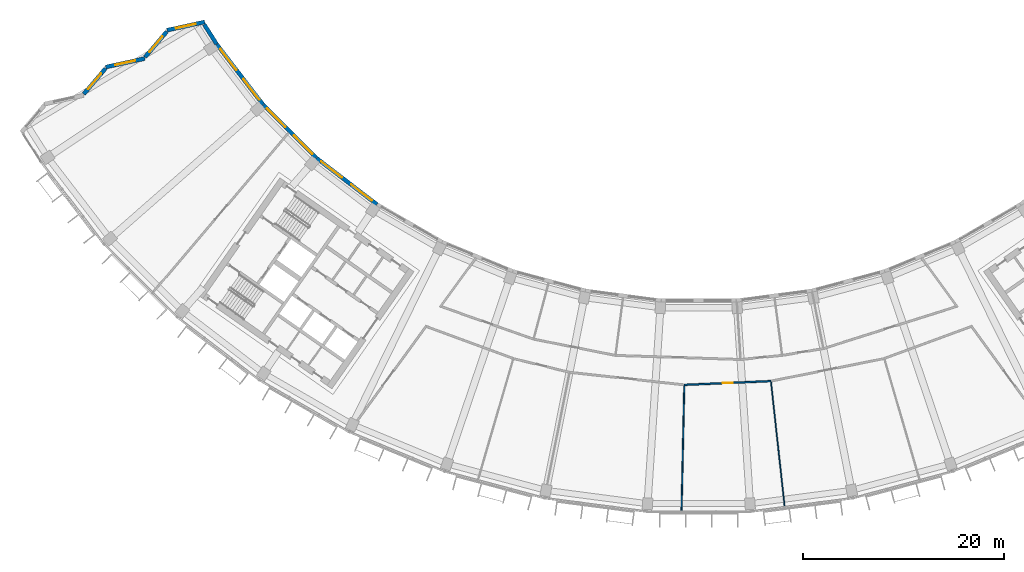
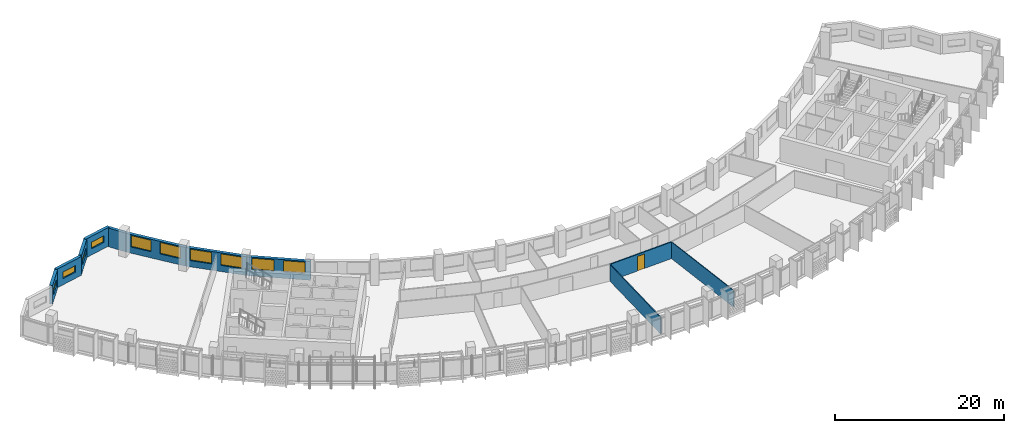
# One storey, part 5 of 28: 11 walls, 10 windows, 1 door, 11 openings.
"""IFC4 building model written with IfcOpenShell, lengths in metres."""

from ifc_helpers import new_model, si_unit, direction, frame, frame_2d, origin, place, context, subcontext, project, spatial, rectangle, extrude, material, layer, layer_set, type_object, element, fill, save


model = new_model("IFC4")

# Units and contexts
model_context = context("Model", 3, precision=1e-05, world=origin(), true_north=direction((0.0, 1.0)))
body_context = subcontext(model_context, "Body", "Model", "MODEL_VIEW")
ifc_project = project(units=[si_unit("LENGTHUNIT", "METRE"), si_unit("AREAUNIT", "SQUARE_METRE"), si_unit("VOLUMEUNIT", "CUBIC_METRE"), si_unit("PLANEANGLEUNIT", "RADIAN"), si_unit("MASSUNIT", "GRAM", prefix="KILO")], contexts=[model_context])

# Site, building, storey
site_placement = place(None, origin())
site = spatial("IfcSite", under=ifc_project, at=site_placement, CompositionType="ELEMENT")
building_placement = place(site_placement, origin())
building = spatial("IfcBuilding", under=site, at=building_placement, Name="Qamariyya Broadcast Tower", CompositionType="ELEMENT")
storey_placement = place(building_placement, frame((0.0, 0.0, 249.300048828125)))
storey = spatial("IfcBuildingStorey", under=building, at=storey_placement, Name="L60", CompositionType="ELEMENT", Elevation=249.300048828125)

# Wall, opening, door
ifc_material_1 = material(Name="Gypsum board partition")
ifc_layer_1 = layer(ifc_material_1, 0.14990234375)
ifc_layer_set_1 = layer_set([ifc_layer_1], Name="Corridor partition 150 EI 60")
wall_type_1 = type_object("IfcWallType", Name="Corridor partition 150 EI 60", PredefinedType="PARTITIONING", material=ifc_layer_set_1)
wall_1_placement = place(storey_placement, frame((7.16162109375, -65.4091796875, 0.0), z_axis=(0.0, 0.0, 1.0), x_axis=(-0.999050423115, -0.043568934724, 0.0)))
wall_1 = element("IfcWall", 1, at=wall_1_placement, inside=storey, type_object=wall_type_1, Name="Partition L60-015", PredefinedType="PARTITIONING", context=body_context, shape_type="SweptSolid", body=[
    extrude(rectangle(XDim=8.60693359375, YDim=0.14990234375, at=frame_2d((4.303466796875, 0.0))), origin(), (0.0, 0.0, 1.0), 2.39990234375),
])
opening_1_placement = place(wall_1_placement, frame((3.803466796875, 0.0, 0.0)))
opening_1 = element("IfcOpeningElement", 2, at=opening_1_placement, cuts=wall_1, Name="Opening L60-D04", PredefinedType="OPENING", context=body_context, shape_type="SweptSolid", body=[
    extrude(rectangle(XDim=1.0, YDim=2.10009765625, at=frame_2d((0.5, 1.050048828125))), frame((0.0, 0.0849609375, 0.0), z_axis=(0.0, -1.0, 0.0), x_axis=(1.0, 0.0, 0.0)), (0.0, 0.0, 1.0), 0.169921875),
])
ifc_material_2 = material(Name="Timber fire door leaf", Category="wood")
door_type = type_object("IfcDoorType", Name="Fire door 1000 x 2100 FD60", OperationType="NOTDEFINED", PredefinedType="DOOR", material=ifc_material_2)
door_placement = place(opening_1_placement, origin())
door = element("IfcDoor", 3, at=door_placement, inside=storey, type_object=door_type, Name="Door L60-D04", OperationType="SINGLE_SWING_RIGHT", OverallHeight=2.10009765625, OverallWidth=1.0, PredefinedType="DOOR", context=body_context, shape_type="SweptSolid", body=[
    extrude(rectangle(XDim=1.0, YDim=2.10009765625, at=frame_2d((0.5, 1.050048828125))), frame((0.0, 0.02490234375, 0.0), z_axis=(0.0, -1.0, 0.0), x_axis=(1.0, 0.0, 0.0)), (0.0, 0.0, 1.0), 0.050048828125),
])
fill(opening_1, door)

# Walls
ifc_material_3 = material(Name="Operable acoustic wall panels")
ifc_layer_2 = layer(ifc_material_3, 0.125)
ifc_layer_set_2 = layer_set([ifc_layer_2], Name="Operable acoustic partition 125")
wall_type_2 = type_object("IfcWallType", Name="Operable acoustic partition 125", PredefinedType="MOVABLE", material=ifc_layer_set_2)
wall_2_placement = place(storey_placement, frame((-1.710205078125, -78.28173828125, 0.0), z_axis=(0.0, 0.0, 1.0), x_axis=(0.02182963041, 0.999761705226, 0.0)))
element("IfcWall", 4, at=wall_2_placement, inside=storey, type_object=wall_type_2, Name="Operable partition L60-014", PredefinedType="MOVABLE", context=body_context, shape_type="SweptSolid", body=[
    extrude(rectangle(XDim=12.42529296875, YDim=0.125, at=frame_2d((6.212646484375, 0.0))), origin(), (0.0, 0.0, 1.0), 2.39990234375),
])
ifc_layer_3 = layer(ifc_material_1, 0.10009765625)
ifc_layer_set_3 = layer_set([ifc_layer_3], Name="Partition 100")
wall_type_3 = type_object("IfcWallType", Name="Partition 100", PredefinedType="PARTITIONING", material=ifc_layer_set_3)
wall_3_placement = place(storey_placement, frame((8.522216796875, -77.835205078125, 0.0), z_axis=(0.0, 0.0, 1.0), x_axis=(-0.108852796, 0.994057880006, 0.0)))
element("IfcWall", 5, at=wall_3_placement, inside=storey, type_object=wall_type_3, Name="Partition L60-021", PredefinedType="PARTITIONING", context=body_context, shape_type="SweptSolid", body=[
    extrude(rectangle(XDim=12.42529296875, YDim=0.10009765625, at=frame_2d((6.212646484375, 0.0))), origin(), (0.0, 0.0, 1.0), 2.39990234375),
])

# Wall, opening, window
ifc_material_4 = material(Name="Terracotta", Category="masonry")
ifc_layer_4 = layer(ifc_material_4, 0.39990234375)
ifc_layer_set_4 = layer_set([ifc_layer_4], Name="Terracotta clad wall 400")
wall_type_4 = type_object("IfcWallType", Name="Terracotta clad wall 400", PredefinedType="SOLIDWALL", material=ifc_layer_set_4)
wall_4_placement = place(storey_placement, frame((-49.0546875, -29.751708984375, 0.0), z_axis=(0.0, 0.0, 1.0), x_axis=(-0.977033603056, -0.213085284567, 0.0)))
wall_4 = element("IfcWall", 6, at=wall_4_placement, inside=storey, type_object=wall_type_4, Name="e-wl-L60-capW0", PredefinedType="SOLIDWALL", context=body_context, shape_type="SweptSolid", body=[
    extrude(rectangle(XDim=3.833740234375, YDim=0.39990234375, at=frame_2d((1.9169921875, 0.0))), origin(), (0.0, 0.0, 1.0), 2.699951171875),
])
opening_2_placement = place(wall_4_placement, frame((0.916748046875, 0.0, 0.89990234375)))
opening_2 = element("IfcOpeningElement", 7, at=opening_2_placement, cuts=wall_4, Name="Opening W4", PredefinedType="OPENING", context=body_context, shape_type="SweptSolid", body=[
    extrude(rectangle(XDim=2.0, YDim=0.949951171875, at=frame_2d((1.0, 0.47509765625))), frame((0.0, 0.2099609375, 0.0), z_axis=(0.0, -1.0, 0.0), x_axis=(1.0, 0.0, 0.0)), (0.0, 0.0, 1.0), 0.419921875),
])
ifc_material_5 = material(Name="Clear low-e double glazed unit in aluminium frame", Category="aluminium")
window_type_1 = type_object("IfcWindowType", Name="Horn bay window 2000 x 950", PartitioningType="SINGLE_PANEL", PredefinedType="WINDOW", material=ifc_material_5)
window_1_placement = place(opening_2_placement, origin())
window_1 = element("IfcWindow", 8, at=window_1_placement, inside=storey, type_object=window_type_1, Name="e-w-L60-capW0", OverallHeight=0.949951171875, OverallWidth=2.0, PartitioningType="SINGLE_PANEL", PredefinedType="WINDOW", context=body_context, shape_type="SweptSolid", body=[
    extrude(rectangle(XDim=2.0, YDim=0.949951171875, at=frame_2d((1.0, 0.47509765625))), frame((0.0, 0.030029296875, 0.0), z_axis=(0.0, -1.0, 0.0), x_axis=(1.0, 0.0, 0.0)), (0.0, 0.0, 1.0), 0.06005859375),
])
fill(opening_2, window_1)

wall_5_placement = place(storey_placement, frame((-52.8232421875, -30.707763671875, 0.0), z_axis=(0.0, 0.0, 1.0), x_axis=(-0.647405461938, -0.762145765489, 0.0)))
wall_5 = element("IfcWall", 9, at=wall_5_placement, inside=storey, type_object=wall_type_4, Name="e-wl-L60-capW1", PredefinedType="SOLIDWALL", context=body_context, shape_type="SweptSolid", body=[
    extrude(rectangle(XDim=3.32568359375, YDim=0.39990234375, at=frame_2d((1.662841796875, 0.0))), origin(), (0.0, 0.0, 1.0), 2.699951171875),
])
opening_3_placement = place(wall_5_placement, frame((0.662841796875, 0.0, 0.89990234375)))
opening_3 = element("IfcOpeningElement", 10, at=opening_3_placement, cuts=wall_5, Name="Opening W4", PredefinedType="OPENING", context=body_context, shape_type="SweptSolid", body=[
    extrude(rectangle(XDim=2.0, YDim=0.949951171875, at=frame_2d((1.0, 0.47509765625))), frame((0.0, 0.2099609375, 0.0), z_axis=(0.0, -1.0, 0.0), x_axis=(1.0, 0.0, 0.0)), (0.0, 0.0, 1.0), 0.419921875),
])
window_2_placement = place(opening_3_placement, origin())
window_2 = element("IfcWindow", 11, at=window_2_placement, inside=storey, type_object=window_type_1, Name="e-w-L60-capW1", OverallHeight=0.949951171875, OverallWidth=2.0, PartitioningType="SINGLE_PANEL", PredefinedType="WINDOW", context=body_context, shape_type="SweptSolid", body=[
    extrude(rectangle(XDim=2.0, YDim=0.949951171875, at=frame_2d((1.0, 0.47509765625))), frame((0.0, 0.030029296875, 0.0), z_axis=(0.0, -1.0, 0.0), x_axis=(1.0, 0.0, 0.0)), (0.0, 0.0, 1.0), 0.06005859375),
])
fill(opening_3, window_2)

wall_6_placement = place(storey_placement, frame((-54.999267578125, -33.3818359375, 0.0), z_axis=(0.0, 0.0, 1.0), x_axis=(-0.977023199222, -0.213132982389, 0.0)))
wall_6 = element("IfcWall", 12, at=wall_6_placement, inside=storey, type_object=wall_type_4, Name="e-wl-L60-capW2", PredefinedType="SOLIDWALL", context=body_context, shape_type="SweptSolid", body=[
    extrude(rectangle(XDim=3.97705078125, YDim=0.39990234375, at=frame_2d((1.988525390625, 0.0))), origin(), (0.0, 0.0, 1.0), 2.699951171875),
])
opening_4_placement = place(wall_6_placement, frame((0.988525390625, 0.0, 0.89990234375)))
opening_4 = element("IfcOpeningElement", 13, at=opening_4_placement, cuts=wall_6, Name="Opening W4", PredefinedType="OPENING", context=body_context, shape_type="SweptSolid", body=[
    extrude(rectangle(XDim=2.0, YDim=0.949951171875, at=frame_2d((1.0, 0.47509765625))), frame((0.0, 0.2099609375, 0.0), z_axis=(0.0, -1.0, 0.0), x_axis=(1.0, 0.0, 0.0)), (0.0, 0.0, 1.0), 0.419921875),
])
window_3_placement = place(opening_4_placement, origin())
window_3 = element("IfcWindow", 14, at=window_3_placement, inside=storey, type_object=window_type_1, Name="e-w-L60-capW2", OverallHeight=0.949951171875, OverallWidth=2.0, PartitioningType="SINGLE_PANEL", PredefinedType="WINDOW", context=body_context, shape_type="SweptSolid", body=[
    extrude(rectangle(XDim=2.0, YDim=0.949951171875, at=frame_2d((1.0, 0.47509765625))), frame((0.0, 0.030029296875, 0.0), z_axis=(0.0, -1.0, 0.0), x_axis=(1.0, 0.0, 0.0)), (0.0, 0.0, 1.0), 0.06005859375),
])
fill(opening_4, window_3)

wall_7_placement = place(storey_placement, frame((-58.907958984375, -34.368896484375, 0.0), z_axis=(0.0, 0.0, 1.0), x_axis=(-0.647379772356, -0.762167586785, 0.0)))
wall_7 = element("IfcWall", 15, at=wall_7_placement, inside=storey, type_object=wall_type_4, Name="e-wl-L60-capW3", PredefinedType="SOLIDWALL", context=body_context, shape_type="SweptSolid", body=[
    extrude(rectangle(XDim=3.32421875, YDim=0.39990234375, at=frame_2d((1.662109375, 0.0))), origin(), (0.0, 0.0, 1.0), 2.699951171875),
])
opening_5_placement = place(wall_7_placement, frame((0.662353515625, 0.0, 0.89990234375)))
opening_5 = element("IfcOpeningElement", 16, at=opening_5_placement, cuts=wall_7, Name="Opening W4", PredefinedType="OPENING", context=body_context, shape_type="SweptSolid", body=[
    extrude(rectangle(XDim=2.0, YDim=0.949951171875, at=frame_2d((1.0, 0.47509765625))), frame((0.0, 0.2099609375, 0.0), z_axis=(0.0, -1.0, 0.0), x_axis=(1.0, 0.0, 0.0)), (0.0, 0.0, 1.0), 0.419921875),
])
window_4_placement = place(opening_5_placement, origin())
window_4 = element("IfcWindow", 17, at=window_4_placement, inside=storey, type_object=window_type_1, Name="e-w-L60-capW3", OverallHeight=0.949951171875, OverallWidth=2.0, PartitioningType="SINGLE_PANEL", PredefinedType="WINDOW", context=body_context, shape_type="SweptSolid", body=[
    extrude(rectangle(XDim=2.0, YDim=0.949951171875, at=frame_2d((1.0, 0.47509765625))), frame((0.0, 0.030029296875, 0.0), z_axis=(0.0, -1.0, 0.0), x_axis=(1.0, 0.0, 0.0)), (0.0, 0.0, 1.0), 0.06005859375),
])
fill(opening_5, window_4)

# Wall
wall_8_placement = place(storey_placement, frame((-47.866455078125, -31.948974609375, 0.0), z_axis=(0.0, 0.0, 1.0), x_axis=(-0.535682085669, 0.84441974343, 0.0)))
element("IfcWall", 18, at=wall_8_placement, inside=storey, type_object=wall_type_4, Name="e-wl-L60-in00", PredefinedType="SOLIDWALL", context=body_context, shape_type="SweptSolid", body=[
    extrude(rectangle(XDim=2.30419921875, YDim=0.39990234375, at=frame_2d((1.152099609375, 0.0))), origin(), (0.0, 0.0, 1.0), 2.699951171875),
])

# Wall, openings, windows
wall_9_placement = place(storey_placement, frame((-43.25341796875, -37.965576171875, 0.0), z_axis=(0.0, 0.0, 1.0), x_axis=(-0.608758787171, 0.793355367438, 0.0)))
wall_9 = element("IfcWall", 19, at=wall_9_placement, inside=storey, type_object=wall_type_4, Name="e-wl-L60-in10", PredefinedType="SOLIDWALL", context=body_context, shape_type="SweptSolid", body=[
    extrude(rectangle(XDim=7.563720703125, YDim=0.39990234375, at=frame_2d((3.78173828125, 0.0))), origin(), (0.0, 0.0, 1.0), 2.699951171875),
])
opening_6_placement = place(wall_9_placement, frame((4.364501953125, 0.0, 0.89990234375)))
opening_6 = element("IfcOpeningElement", 20, at=opening_6_placement, cuts=wall_9, Name="Opening W1", PredefinedType="OPENING", context=body_context, shape_type="SweptSolid", body=[
    extrude(rectangle(XDim=2.60009765625, YDim=1.64990234375, at=frame_2d((1.300048828125, 0.824951171875))), frame((0.0, 0.2099609375, 0.0), z_axis=(0.0, -1.0, 0.0), x_axis=(1.0, 0.0, 0.0)), (0.0, 0.0, 1.0), 0.419921875),
])
opening_7_placement = place(wall_9_placement, frame((0.613525390625, 0.0, 0.89990234375)))
opening_7 = element("IfcOpeningElement", 21, at=opening_7_placement, cuts=wall_9, Name="Opening W1", PredefinedType="OPENING", context=body_context, shape_type="SweptSolid", body=[
    extrude(rectangle(XDim=2.60009765625, YDim=1.64990234375, at=frame_2d((1.300048828125, 0.824951171875))), frame((0.0, 0.2099609375, 0.0), z_axis=(0.0, -1.0, 0.0), x_axis=(1.0, 0.0, 0.0)), (0.0, 0.0, 1.0), 0.419921875),
])
window_type_2 = type_object("IfcWindowType", Name="Ribbon window 2600 x 1650", PartitioningType="SINGLE_PANEL", PredefinedType="WINDOW", material=ifc_material_5)
window_5_placement = place(opening_6_placement, origin())
window_5 = element("IfcWindow", 22, at=window_5_placement, inside=storey, type_object=window_type_2, Name="e-w-L60-in01-0", OverallHeight=1.64990234375, OverallWidth=2.60009765625, PartitioningType="SINGLE_PANEL", PredefinedType="WINDOW", context=body_context, shape_type="SweptSolid", body=[
    extrude(rectangle(XDim=2.60009765625, YDim=1.64990234375, at=frame_2d((1.300048828125, 0.824951171875))), frame((0.0, 0.030029296875, 0.0), z_axis=(0.0, -1.0, 0.0), x_axis=(1.0, 0.0, 0.0)), (0.0, 0.0, 1.0), 0.06005859375),
])
fill(opening_6, window_5)
window_6_placement = place(opening_7_placement, origin())
window_6 = element("IfcWindow", 23, at=window_6_placement, inside=storey, type_object=window_type_2, Name="e-w-L60-in01-1", OverallHeight=1.64990234375, OverallWidth=2.60009765625, PartitioningType="SINGLE_PANEL", PredefinedType="WINDOW", context=body_context, shape_type="SweptSolid", body=[
    extrude(rectangle(XDim=2.60009765625, YDim=1.64990234375, at=frame_2d((1.300048828125, 0.824951171875))), frame((0.0, 0.030029296875, 0.0), z_axis=(0.0, -1.0, 0.0), x_axis=(1.0, 0.0, 0.0)), (0.0, 0.0, 1.0), 0.06005859375),
])
fill(opening_7, window_6)

wall_10_placement = place(storey_placement, frame((-37.9814453125, -43.23291015625, 0.0), z_axis=(0.0, 0.0, 1.0), x_axis=(-0.707106781187, 0.707106781187, 0.0)))
wall_10 = element("IfcWall", 24, at=wall_10_placement, inside=storey, type_object=wall_type_4, Name="e-wl-L60-in20", PredefinedType="SOLIDWALL", context=body_context, shape_type="SweptSolid", body=[
    extrude(rectangle(XDim=7.4267578125, YDim=0.39990234375, at=frame_2d((3.71337890625, 0.0))), origin(), (0.0, 0.0, 1.0), 2.699951171875),
])
opening_8_placement = place(wall_10_placement, frame((4.28857421875, 0.0, 0.89990234375)))
opening_8 = element("IfcOpeningElement", 25, at=opening_8_placement, cuts=wall_10, Name="Opening W1", PredefinedType="OPENING", context=body_context, shape_type="SweptSolid", body=[
    extrude(rectangle(XDim=2.60009765625, YDim=1.64990234375, at=frame_2d((1.300048828125, 0.824951171875))), frame((0.0, 0.2099609375, 0.0), z_axis=(0.0, -1.0, 0.0), x_axis=(1.0, 0.0, 0.0)), (0.0, 0.0, 1.0), 0.419921875),
])
opening_9_placement = place(wall_10_placement, frame((0.537841796875, 0.0, 0.89990234375)))
opening_9 = element("IfcOpeningElement", 26, at=opening_9_placement, cuts=wall_10, Name="Opening W1", PredefinedType="OPENING", context=body_context, shape_type="SweptSolid", body=[
    extrude(rectangle(XDim=2.60009765625, YDim=1.64990234375, at=frame_2d((1.300048828125, 0.824951171875))), frame((0.0, 0.2099609375, 0.0), z_axis=(0.0, -1.0, 0.0), x_axis=(1.0, 0.0, 0.0)), (0.0, 0.0, 1.0), 0.419921875),
])
window_7_placement = place(opening_8_placement, origin())
window_7 = element("IfcWindow", 27, at=window_7_placement, inside=storey, type_object=window_type_2, Name="e-w-L60-in02-0", OverallHeight=1.64990234375, OverallWidth=2.60009765625, PartitioningType="SINGLE_PANEL", PredefinedType="WINDOW", context=body_context, shape_type="SweptSolid", body=[
    extrude(rectangle(XDim=2.60009765625, YDim=1.64990234375, at=frame_2d((1.300048828125, 0.824951171875))), frame((0.0, 0.030029296875, 0.0), z_axis=(0.0, -1.0, 0.0), x_axis=(1.0, 0.0, 0.0)), (0.0, 0.0, 1.0), 0.06005859375),
])
fill(opening_8, window_7)
window_8_placement = place(opening_9_placement, origin())
window_8 = element("IfcWindow", 28, at=window_8_placement, inside=storey, type_object=window_type_2, Name="e-w-L60-in02-1", OverallHeight=1.64990234375, OverallWidth=2.60009765625, PartitioningType="SINGLE_PANEL", PredefinedType="WINDOW", context=body_context, shape_type="SweptSolid", body=[
    extrude(rectangle(XDim=2.60009765625, YDim=1.64990234375, at=frame_2d((1.300048828125, 0.824951171875))), frame((0.0, 0.030029296875, 0.0), z_axis=(0.0, -1.0, 0.0), x_axis=(1.0, 0.0, 0.0)), (0.0, 0.0, 1.0), 0.06005859375),
])
fill(opening_9, window_8)

wall_11_placement = place(storey_placement, frame((-31.953369140625, -47.86669921875, 0.0), z_axis=(0.0, 0.0, 1.0), x_axis=(-0.793356365089, 0.608757486995, 0.0)))
wall_11 = element("IfcWall", 29, at=wall_11_placement, inside=storey, type_object=wall_type_4, Name="e-wl-L60-in30", PredefinedType="SOLIDWALL", context=body_context, shape_type="SweptSolid", body=[
    extrude(rectangle(XDim=7.578125, YDim=0.39990234375, at=frame_2d((3.7890625, 0.0))), origin(), (0.0, 0.0, 1.0), 2.699951171875),
])
opening_10_placement = place(wall_11_placement, frame((4.364501953125, 0.0, 0.89990234375)))
opening_10 = element("IfcOpeningElement", 30, at=opening_10_placement, cuts=wall_11, Name="Opening W1", PredefinedType="OPENING", context=body_context, shape_type="SweptSolid", body=[
    extrude(rectangle(XDim=2.60009765625, YDim=1.64990234375, at=frame_2d((1.300048828125, 0.824951171875))), frame((0.0, 0.2099609375, 0.0), z_axis=(0.0, -1.0, 0.0), x_axis=(1.0, 0.0, 0.0)), (0.0, 0.0, 1.0), 0.419921875),
])
opening_11_placement = place(wall_11_placement, frame((0.613525390625, 0.0, 0.89990234375)))
opening_11 = element("IfcOpeningElement", 31, at=opening_11_placement, cuts=wall_11, Name="Opening W1", PredefinedType="OPENING", context=body_context, shape_type="SweptSolid", body=[
    extrude(rectangle(XDim=2.60009765625, YDim=1.64990234375, at=frame_2d((1.300048828125, 0.824951171875))), frame((0.0, 0.2099609375, 0.0), z_axis=(0.0, -1.0, 0.0), x_axis=(1.0, 0.0, 0.0)), (0.0, 0.0, 1.0), 0.419921875),
])
window_9_placement = place(opening_10_placement, origin())
window_9 = element("IfcWindow", 32, at=window_9_placement, inside=storey, type_object=window_type_2, Name="e-w-L60-in03-0", OverallHeight=1.64990234375, OverallWidth=2.60009765625, PartitioningType="SINGLE_PANEL", PredefinedType="WINDOW", context=body_context, shape_type="SweptSolid", body=[
    extrude(rectangle(XDim=2.60009765625, YDim=1.64990234375, at=frame_2d((1.300048828125, 0.824951171875))), frame((0.0, 0.030029296875, 0.0), z_axis=(0.0, -1.0, 0.0), x_axis=(1.0, 0.0, 0.0)), (0.0, 0.0, 1.0), 0.06005859375),
])
fill(opening_10, window_9)
window_10_placement = place(opening_11_placement, origin())
window_10 = element("IfcWindow", 33, at=window_10_placement, inside=storey, type_object=window_type_2, Name="e-w-L60-in03-1", OverallHeight=1.64990234375, OverallWidth=2.60009765625, PartitioningType="SINGLE_PANEL", PredefinedType="WINDOW", context=body_context, shape_type="SweptSolid", body=[
    extrude(rectangle(XDim=2.60009765625, YDim=1.64990234375, at=frame_2d((1.300048828125, 0.824951171875))), frame((0.0, 0.030029296875, 0.0), z_axis=(0.0, -1.0, 0.0), x_axis=(1.0, 0.0, 0.0)), (0.0, 0.0, 1.0), 0.06005859375),
])
fill(opening_11, window_10)

save(model, "model.ifc")
